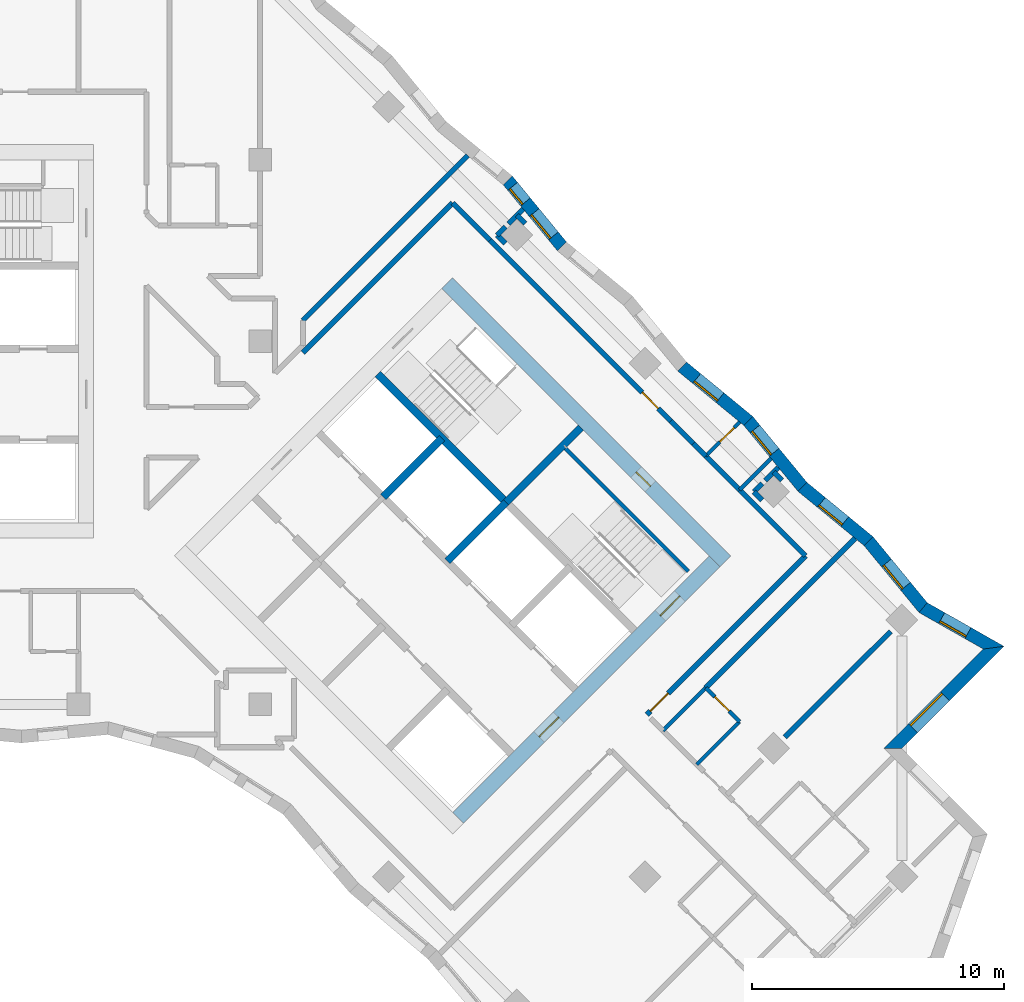
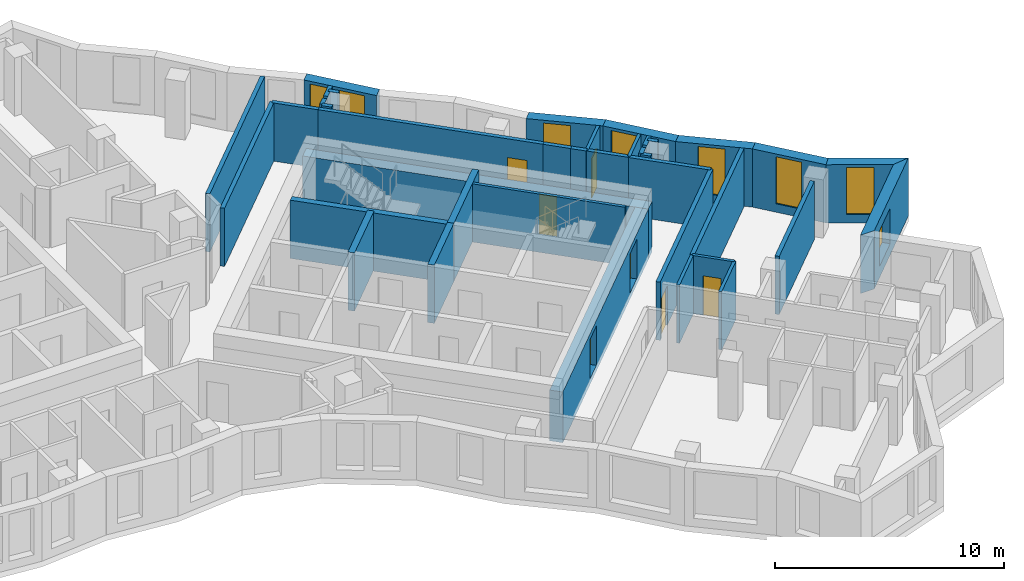
# One storey, part 9 of 12: 38 walls, 8 windows, 7 doors, 15 openings.
"""IFC4 building model written with IfcOpenShell, lengths in metres."""

from ifc_helpers import new_model, si_unit, direction, frame, frame_2d, origin, place, context, subcontext, project, spatial, polyline, rectangle, outline, extrude, material, layer, layer_set, type_object, element, fill, save


model = new_model("IFC4")

# Units and contexts
model_context = context("Model", 3, precision=1e-05, world=origin(), true_north=direction((0.0, 1.0)))
body_context = subcontext(model_context, "Body", "Model", "MODEL_VIEW")
ifc_project = project(units=[si_unit("LENGTHUNIT", "METRE"), si_unit("AREAUNIT", "SQUARE_METRE"), si_unit("VOLUMEUNIT", "CUBIC_METRE"), si_unit("PLANEANGLEUNIT", "RADIAN"), si_unit("MASSUNIT", "GRAM", prefix="KILO")], contexts=[model_context])

# Site, building, storey
site_placement = place(None, origin())
site = spatial("IfcSite", under=ifc_project, at=site_placement, CompositionType="ELEMENT")
building_placement = place(site_placement, origin())
building = spatial("IfcBuilding", under=site, at=building_placement, Name="Windrow Commons", CompositionType="ELEMENT")
storey_placement = place(building_placement, frame((0.0, 0.0, 138.8)))
storey = spatial("IfcBuildingStorey", under=building, at=storey_placement, Name="L37", CompositionType="ELEMENT", Elevation=138.8)

# Wall, opening, window
ifc_material_1 = material(Name="Brick masonry, red clay brick", Category="masonry")
ifc_layer_1 = layer(ifc_material_1, 0.5)
ifc_layer_set_1 = layer_set([ifc_layer_1], Name="Brick facade wall 500")
wall_type_1 = type_object("IfcWallType", Name="Brick facade wall 500", PredefinedType="SOLIDWALL", material=ifc_layer_set_1)
wall_1_placement = place(storey_placement, frame((104.3022, 41.453, 0.0), z_axis=(0.0, 0.0, 1.0), x_axis=(0.7071156278, 0.7070979344, 0.0)))
wall_1 = element("IfcWall", 1, at=wall_1_placement, inside=storey, type_object=wall_type_1, Name="Brick facade wall L37 6", PredefinedType="SOLIDWALL", context=body_context, shape_type="SweptSolid", body=[
    extrude(outline(polyline([(0.25, -0.25), (5.9801, -0.25), (5.3236, 0.25), (-0.25, 0.25), (0.25, -0.25)])), origin(), (0.0, 0.0, 1.0), 3.1),
])
opening_1_placement = place(wall_1_placement, frame((1.125, 0.0, 0.6)))
opening_1 = element("IfcOpeningElement", 2, at=opening_1_placement, cuts=wall_1, Name="Opening W1L", PredefinedType="OPENING", context=body_context, shape_type="SweptSolid", body=[
    extrude(rectangle(XDim=1.8, YDim=1.9, at=frame_2d((0.9, 0.95))), frame((0.0, 0.26, 0.0), z_axis=(0.0, -1.0, 0.0), x_axis=(1.0, 0.0, 0.0)), (0.0, 0.0, 1.0), 0.52),
])
ifc_material_2 = material(Name="Clear float glass in anodised aluminium frame", Category="aluminium")
window_type_1 = type_object("IfcWindowType", Name="Window W1L bedroom 1800x1900", PartitioningType="SINGLE_PANEL", PredefinedType="WINDOW", material=ifc_material_2)
window_1_placement = place(opening_1_placement, origin())
window_1 = element("IfcWindow", 3, at=window_1_placement, inside=storey, type_object=window_type_1, Name="Window L37 6.1", OverallHeight=1.9, OverallWidth=1.8, PartitioningType="SINGLE_PANEL", PredefinedType="WINDOW", context=body_context, shape_type="SweptSolid", body=[
    extrude(rectangle(XDim=1.8, YDim=1.9, at=frame_2d((0.9, 0.95))), frame((0.0, 0.18, 0.0), z_axis=(0.0, -1.0, 0.0), x_axis=(1.0, 0.0, 0.0)), (0.0, 0.0, 1.0), 0.06),
])
fill(opening_1, window_1)

wall_2_placement = place(storey_placement, frame((108.2987, 45.4494, 0.0), z_axis=(0.0, 0.0, 1.0), x_axis=(-0.869605489, 0.493747196, 0.0)))
wall_2 = element("IfcWall", 4, at=wall_2_placement, inside=storey, type_object=wall_type_1, Name="Brick facade wall L37 7", PredefinedType="SOLIDWALL", context=body_context, shape_type="SweptSolid", body=[
    extrude(outline(polyline([(-0.3282, -0.25), (3.1711, -0.25), (3.2638, 0.25), (0.3282, 0.25), (-0.3282, -0.25)])), origin(), (0.0, 0.0, 1.0), 3.1),
])
opening_2_placement = place(wall_2_placement, frame((1.1728, 0.0, 0.45)))
opening_2 = element("IfcOpeningElement", 5, at=opening_2_placement, cuts=wall_2, Name="Opening W7E", PredefinedType="OPENING", context=body_context, shape_type="SweptSolid", body=[
    extrude(rectangle(XDim=1.2, YDim=2.5, at=frame_2d((0.6, 1.25))), frame((0.0, 0.26, 0.0), z_axis=(0.0, -1.0, 0.0), x_axis=(1.0, 0.0, 0.0)), (0.0, 0.0, 1.0), 0.52),
])
ifc_material_3 = material(Name="Clear float glass in anodised aluminium frame", Category="aluminium")
window_type_2 = type_object("IfcWindowType", Name="Window W7 notch 1200x2500", PartitioningType="SINGLE_PANEL", PredefinedType="WINDOW", material=ifc_material_3)
window_2_placement = place(opening_2_placement, origin())
window_2 = element("IfcWindow", 6, at=window_2_placement, inside=storey, type_object=window_type_2, Name="Window L37 7.1", OverallHeight=2.5, OverallWidth=1.2, PartitioningType="SINGLE_PANEL", PredefinedType="WINDOW", context=body_context, shape_type="SweptSolid", body=[
    extrude(rectangle(XDim=1.2, YDim=2.5, at=frame_2d((0.6, 1.25))), frame((0.0, 0.18, 0.0), z_axis=(0.0, -1.0, 0.0), x_axis=(1.0, 0.0, 0.0)), (0.0, 0.0, 1.0), 0.06),
])
fill(opening_2, window_2)

wall_3_placement = place(storey_placement, frame((105.5008, 47.038, 0.0), z_axis=(0.0, 0.0, 1.0), x_axis=(-0.6348900618, 0.7726024912, 0.0)))
wall_3 = element("IfcWall", 7, at=wall_3_placement, inside=storey, type_object=wall_type_1, Name="Brick facade wall L37 8", PredefinedType="SOLIDWALL", context=body_context, shape_type="SweptSolid", body=[
    extrude(outline(polyline([(0.0463, -0.25), (3.436, -0.25), (3.387, 0.25), (-0.0463, 0.25), (0.0463, -0.25)])), origin(), (0.0, 0.0, 1.0), 3.1),
])
opening_3_placement = place(wall_3_placement, frame((1.0935, 0.0, 0.45)))
opening_3 = element("IfcOpeningElement", 8, at=opening_3_placement, cuts=wall_3, Name="Opening W7E", PredefinedType="OPENING", context=body_context, shape_type="SweptSolid", body=[
    extrude(rectangle(XDim=1.2, YDim=2.5, at=frame_2d((0.6, 1.25))), frame((0.0, 0.26, 0.0), z_axis=(0.0, -1.0, 0.0), x_axis=(1.0, 0.0, 0.0)), (0.0, 0.0, 1.0), 0.52),
])
window_3_placement = place(opening_3_placement, origin())
window_3 = element("IfcWindow", 9, at=window_3_placement, inside=storey, type_object=window_type_2, Name="Window L37 8.1", OverallHeight=2.5, OverallWidth=1.2, PartitioningType="SINGLE_PANEL", PredefinedType="WINDOW", context=body_context, shape_type="SweptSolid", body=[
    extrude(rectangle(XDim=1.2, YDim=2.5, at=frame_2d((0.6, 1.25))), frame((0.0, 0.18, 0.0), z_axis=(0.0, -1.0, 0.0), x_axis=(1.0, 0.0, 0.0)), (0.0, 0.0, 1.0), 0.06),
])
fill(opening_3, window_3)

wall_4_placement = place(storey_placement, frame((103.3349, 49.6737, 0.0), z_axis=(0.0, 0.0, 1.0), x_axis=(-0.7725898055, 0.6349054988, 0.0)))
wall_4 = element("IfcWall", 10, at=wall_4_placement, inside=storey, type_object=wall_type_1, Name="Brick facade wall L37 9", PredefinedType="SOLIDWALL", context=body_context, shape_type="SweptSolid", body=[
    extrude(outline(polyline([(-0.0245, -0.25), (3.3652, -0.25), (3.4141, 0.25), (0.0245, 0.25), (-0.0245, -0.25)])), origin(), (0.0, 0.0, 1.0), 3.1),
])
opening_4_placement = place(wall_4_placement, frame((1.2224, 0.0, 0.45)))
opening_4 = element("IfcOpeningElement", 11, at=opening_4_placement, cuts=wall_4, Name="Opening W7E", PredefinedType="OPENING", context=body_context, shape_type="SweptSolid", body=[
    extrude(rectangle(XDim=1.2, YDim=2.5, at=frame_2d((0.6, 1.25))), frame((0.0, 0.26, 0.0), z_axis=(0.0, -1.0, 0.0), x_axis=(1.0, 0.0, 0.0)), (0.0, 0.0, 1.0), 0.52),
])
window_4_placement = place(opening_4_placement, origin())
window_4 = element("IfcWindow", 12, at=window_4_placement, inside=storey, type_object=window_type_2, Name="Window L37 9.1", OverallHeight=2.5, OverallWidth=1.2, PartitioningType="SINGLE_PANEL", PredefinedType="WINDOW", context=body_context, shape_type="SweptSolid", body=[
    extrude(rectangle(XDim=1.2, YDim=2.5, at=frame_2d((0.6, 1.25))), frame((0.0, 0.18, 0.0), z_axis=(0.0, -1.0, 0.0), x_axis=(1.0, 0.0, 0.0)), (0.0, 0.0, 1.0), 0.06),
])
fill(opening_4, window_4)

wall_5_placement = place(storey_placement, frame((100.7161, 51.8258, 0.0), z_axis=(0.0, 0.0, 1.0), x_axis=(-0.6349054988, 0.7725898055, 0.0)))
wall_5 = element("IfcWall", 13, at=wall_5_placement, inside=storey, type_object=wall_type_1, Name="Brick facade wall L37 10", PredefinedType="SOLIDWALL", context=body_context, shape_type="SweptSolid", body=[
    extrude(outline(polyline([(0.0245, -0.25), (3.4141, -0.25), (3.3652, 0.25), (-0.0245, 0.25), (0.0245, -0.25)])), origin(), (0.0, 0.0, 1.0), 3.1),
])
opening_5_placement = place(wall_5_placement, frame((1.7739, 0.0, 0.45)))
opening_5 = element("IfcOpeningElement", 14, at=opening_5_placement, cuts=wall_5, Name="Opening W7E", PredefinedType="OPENING", context=body_context, shape_type="SweptSolid", body=[
    extrude(rectangle(XDim=1.2, YDim=2.5, at=frame_2d((0.6, 1.25))), frame((0.0, 0.26, 0.0), z_axis=(0.0, -1.0, 0.0), x_axis=(1.0, 0.0, 0.0)), (0.0, 0.0, 1.0), 0.52),
])
window_5_placement = place(opening_5_placement, origin())
window_5 = element("IfcWindow", 15, at=window_5_placement, inside=storey, type_object=window_type_2, Name="Window L37 10.1", OverallHeight=2.5, OverallWidth=1.2, PartitioningType="SINGLE_PANEL", PredefinedType="WINDOW", context=body_context, shape_type="SweptSolid", body=[
    extrude(rectangle(XDim=1.2, YDim=2.5, at=frame_2d((0.6, 1.25))), frame((0.0, 0.18, 0.0), z_axis=(0.0, -1.0, 0.0), x_axis=(1.0, 0.0, 0.0)), (0.0, 0.0, 1.0), 0.06),
])
fill(opening_5, window_5)

wall_6_placement = place(storey_placement, frame((98.564, 54.4446, 0.0), z_axis=(0.0, 0.0, 1.0), x_axis=(-0.7725898055, 0.6349054988, 0.0)))
wall_6 = element("IfcWall", 16, at=wall_6_placement, inside=storey, type_object=wall_type_1, Name="Brick facade wall L37 11", PredefinedType="SOLIDWALL", context=body_context, shape_type="SweptSolid", body=[
    extrude(outline(polyline([(-0.0245, -0.25), (3.3652, -0.25), (3.4141, 0.25), (0.0245, 0.25), (-0.0245, -0.25)])), origin(), (0.0, 0.0, 1.0), 3.1),
])
opening_6_placement = place(wall_6_placement, frame((1.4499, 0.0, 0.45)))
opening_6 = element("IfcOpeningElement", 17, at=opening_6_placement, cuts=wall_6, Name="Opening W7E", PredefinedType="OPENING", context=body_context, shape_type="SweptSolid", body=[
    extrude(rectangle(XDim=1.2, YDim=2.5, at=frame_2d((0.6, 1.25))), frame((0.0, 0.26, 0.0), z_axis=(0.0, -1.0, 0.0), x_axis=(1.0, 0.0, 0.0)), (0.0, 0.0, 1.0), 0.52),
])
window_6_placement = place(opening_6_placement, origin())
window_6 = element("IfcWindow", 18, at=window_6_placement, inside=storey, type_object=window_type_2, Name="Window L37 11.1", OverallHeight=2.5, OverallWidth=1.2, PartitioningType="SINGLE_PANEL", PredefinedType="WINDOW", context=body_context, shape_type="SweptSolid", body=[
    extrude(rectangle(XDim=1.2, YDim=2.5, at=frame_2d((0.6, 1.25))), frame((0.0, 0.18, 0.0), z_axis=(0.0, -1.0, 0.0), x_axis=(1.0, 0.0, 0.0)), (0.0, 0.0, 1.0), 0.06),
])
fill(opening_6, window_6)

# Wall, openings, windows
wall_7_placement = place(storey_placement, frame((91.1743, 61.3676, 0.0), z_axis=(0.0, 0.0, 1.0), x_axis=(-0.6349199703, 0.7725779128, 0.0)))
wall_7 = element("IfcWall", 19, at=wall_7_placement, inside=storey, type_object=wall_type_1, Name="Brick facade wall L37 14", PredefinedType="SOLIDWALL", context=body_context, shape_type="SweptSolid", body=[
    extrude(outline(polyline([(0.0245, -0.25), (3.4141, -0.25), (3.3652, 0.25), (-0.0245, 0.25), (0.0245, -0.25)])), origin(), (0.0, 0.0, 1.0), 3.1),
])
opening_7_placement = place(wall_7_placement, frame((0.536, 0.0, 0.5)))
opening_7 = element("IfcOpeningElement", 20, at=opening_7_placement, cuts=wall_7, Name="Opening W7D", PredefinedType="OPENING", context=body_context, shape_type="SweptSolid", body=[
    extrude(rectangle(XDim=1.2, YDim=2.45, at=frame_2d((0.6, 1.225))), frame((0.0, 0.26, 0.0), z_axis=(0.0, -1.0, 0.0), x_axis=(1.0, 0.0, 0.0)), (0.0, 0.0, 1.0), 0.52),
])
opening_8_placement = place(wall_7_placement, frame((2.2808, 0.0, 0.45)))
opening_8 = element("IfcOpeningElement", 21, at=opening_8_placement, cuts=wall_7, Name="Opening W1N", PredefinedType="OPENING", context=body_context, shape_type="SweptSolid", body=[
    extrude(rectangle(XDim=0.8, YDim=2.5, at=frame_2d((0.4, 1.25))), frame((0.0, 0.26, 0.0), z_axis=(0.0, -1.0, 0.0), x_axis=(1.0, 0.0, 0.0)), (0.0, 0.0, 1.0), 0.52),
])
ifc_material_4 = material(Name="Clear float glass in anodised aluminium frame", Category="aluminium")
window_type_3 = type_object("IfcWindowType", Name="Window W1N slit 800x2500", PartitioningType="SINGLE_PANEL", PredefinedType="WINDOW", material=ifc_material_4)
window_7_placement = place(opening_8_placement, origin())
window_7 = element("IfcWindow", 22, at=window_7_placement, inside=storey, type_object=window_type_3, Name="Window L37 14.1B", OverallHeight=2.5, OverallWidth=0.8, PartitioningType="SINGLE_PANEL", PredefinedType="WINDOW", context=body_context, shape_type="SweptSolid", body=[
    extrude(rectangle(XDim=0.8, YDim=2.5, at=frame_2d((0.4, 1.25))), frame((0.0, 0.18, 0.0), z_axis=(0.0, -1.0, 0.0), x_axis=(1.0, 0.0, 0.0)), (0.0, 0.0, 1.0), 0.06),
])
fill(opening_8, window_7)
ifc_material_5 = material(Name="Clear float glass in anodised aluminium frame", Category="aluminium")
window_type_4 = type_object("IfcWindowType", Name="Window W7 notch 1200x2450", PartitioningType="SINGLE_PANEL", PredefinedType="WINDOW", material=ifc_material_5)
window_8_placement = place(opening_7_placement, origin())
window_8 = element("IfcWindow", 23, at=window_8_placement, inside=storey, type_object=window_type_4, Name="Window L37 14.1A", OverallHeight=2.45, OverallWidth=1.2, PartitioningType="SINGLE_PANEL", PredefinedType="WINDOW", context=body_context, shape_type="SweptSolid", body=[
    extrude(rectangle(XDim=1.2, YDim=2.45, at=frame_2d((0.6, 1.225))), frame((0.0, 0.18, 0.0), z_axis=(0.0, -1.0, 0.0), x_axis=(1.0, 0.0, 0.0)), (0.0, 0.0, 1.0), 0.06),
])
fill(opening_7, window_8)

# Wall, opening, door
ifc_material_6 = material(Name="Blockwork partition", Category="masonry")
ifc_layer_2 = layer(ifc_material_6, 0.2)
ifc_layer_set_2 = layer_set([ifc_layer_2], Name="IW-CORRIDOR-200")
wall_type_2 = type_object("IfcWallType", Name="IW-CORRIDOR-200", PredefinedType="PARTITIONING", material=ifc_layer_set_2)
wall_8_placement = place(storey_placement, frame((88.3255, 61.6095, 0.0), z_axis=(0.0, 0.0, 1.0), x_axis=(0.7071067812, -0.7071067812, 0.0)))
wall_8 = element("IfcWall", 24, at=wall_8_placement, inside=storey, type_object=wall_type_2, Name="W-L37-W006", PredefinedType="PARTITIONING", context=body_context, shape_type="SweptSolid", body=[
    extrude(rectangle(XDim=10.1399, YDim=0.2, at=frame_2d((5.07, 0.0))), origin(), (0.0, 0.0, 1.0), 3.1),
])
opening_9_placement = place(wall_8_placement, frame((8.5351, 0.0, 0.0)))
opening_9 = element("IfcOpeningElement", 25, at=opening_9_placement, cuts=wall_8, Name="Opening D109F", PredefinedType="OPENING", context=body_context, shape_type="SweptSolid", body=[
    extrude(rectangle(XDim=0.9, YDim=2.1, at=frame_2d((0.45, 1.05))), frame((0.0, 0.11, 0.0), z_axis=(0.0, -1.0, 0.0), x_axis=(1.0, 0.0, 0.0)), (0.0, 0.0, 1.0), 0.22),
])
ifc_material_7 = material(Name="Timber door leaf", Category="wood")
door_type_1 = type_object("IfcDoorType", Name="DT-BEDROOM-900", OperationType="SINGLE_SWING_LEFT", PredefinedType="DOOR", material=ifc_material_7)
door_1_placement = place(opening_9_placement, origin())
door_1 = element("IfcDoor", 26, at=door_1_placement, inside=storey, type_object=door_type_1, Name="D-L37-D039", OperationType="SINGLE_SWING_LEFT", OverallHeight=2.1, OverallWidth=0.9, PredefinedType="DOOR", context=body_context, shape_type="SweptSolid", body=[
    extrude(rectangle(XDim=0.9, YDim=2.1, at=frame_2d((0.45, 1.05))), frame((0.0, 0.025, 0.0), z_axis=(0.0, -1.0, 0.0), x_axis=(1.0, 0.0, 0.0)), (0.0, 0.0, 1.0), 0.05),
])
fill(opening_9, door_1)

wall_9_placement = place(storey_placement, frame((94.543, 42.797, 0.0), z_axis=(0.0, 0.0, 1.0), x_axis=(0.7071067812, 0.7071067812, 0.0)))
wall_9 = element("IfcWall", 27, at=wall_9_placement, inside=storey, type_object=wall_type_2, Name="W-L37-W010", PredefinedType="PARTITIONING", context=body_context, shape_type="SweptSolid", body=[
    extrude(rectangle(XDim=8.9011, YDim=0.2, at=frame_2d((4.4505, 0.0))), origin(), (0.0, 0.0, 1.0), 3.1),
])
opening_10_placement = place(wall_9_placement, frame((0.1931, 0.0, 0.0)))
opening_10 = element("IfcOpeningElement", 28, at=opening_10_placement, cuts=wall_9, Name="Opening D310F", PredefinedType="OPENING", context=body_context, shape_type="SweptSolid", body=[
    extrude(rectangle(XDim=1.0, YDim=2.1, at=frame_2d((0.5, 1.05))), frame((0.0, 0.11, 0.0), z_axis=(0.0, -1.0, 0.0), x_axis=(1.0, 0.0, 0.0)), (0.0, 0.0, 1.0), 0.22),
])
ifc_material_8 = material(Name="Timber door leaf", Category="wood")
door_type_2 = type_object("IfcDoorType", Name="DT-AMENITY-1000", OperationType="SINGLE_SWING_LEFT", PredefinedType="DOOR", material=ifc_material_8)
door_2_placement = place(opening_10_placement, origin())
door_2 = element("IfcDoor", 29, at=door_2_placement, inside=storey, type_object=door_type_2, Name="D-L37-D041", OperationType="SINGLE_SWING_LEFT", OverallHeight=2.1, OverallWidth=1.0, PredefinedType="DOOR", context=body_context, shape_type="SweptSolid", body=[
    extrude(rectangle(XDim=1.0, YDim=2.1, at=frame_2d((0.5, 1.05))), frame((0.0, 0.025, 0.0), z_axis=(0.0, -1.0, 0.0), x_axis=(1.0, 0.0, 0.0)), (0.0, 0.0, 1.0), 0.05),
])
fill(opening_10, door_2)

# Walls
wall_10_placement = place(storey_placement, frame((80.9013, 57.1567, 0.0), z_axis=(0.0, 0.0, 1.0), x_axis=(0.7071067812, 0.7071067812, 0.0)))
element("IfcWall", 30, at=wall_10_placement, inside=storey, type_object=wall_type_2, Name="W-L37-W013", PredefinedType="PARTITIONING", context=body_context, shape_type="SweptSolid", body=[
    extrude(rectangle(XDim=8.3919, YDim=0.2, at=frame_2d((4.1959, 0.0))), origin(), (0.0, 0.0, 1.0), 3.1),
])
wall_11_placement = place(storey_placement, frame((98.2209, 51.7049, 0.0), z_axis=(0.0, 0.0, 1.0), x_axis=(0.7073229887, -0.7068905075, 0.0)))
element("IfcWall", 31, at=wall_11_placement, inside=storey, type_object=wall_type_2, Name="W-L37-W046", PredefinedType="PARTITIONING", context=body_context, shape_type="SweptSolid", body=[
    extrude(rectangle(XDim=3.6996, YDim=0.2, at=frame_2d((1.8498, 0.0))), origin(), (0.0, 0.0, 1.0), 3.1),
])
wall_12_placement = place(storey_placement, frame((86.8343, 63.0883, 0.0), z_axis=(0.0, 0.0, 1.0), x_axis=(0.7075827869, -0.7066304548, 0.0)))
element("IfcWall", 32, at=wall_12_placement, inside=storey, type_object=wall_type_2, Name="W-L37-W101", PredefinedType="PARTITIONING", context=body_context, shape_type="SweptSolid", body=[
    extrude(rectangle(XDim=2.1001, YDim=0.2, at=frame_2d((1.05, 0.0))), origin(), (0.0, 0.0, 1.0), 3.1),
])
wall_13_placement = place(storey_placement, frame((96.8815, 53.0535, 0.0), z_axis=(0.0, 0.0, 1.0), x_axis=(0.7071067812, -0.7071067812, 0.0)))
element("IfcWall", 33, at=wall_13_placement, inside=storey, type_object=wall_type_2, Name="W-L37-W116", PredefinedType="PARTITIONING", context=body_context, shape_type="SweptSolid", body=[
    extrude(rectangle(XDim=1.9007, YDim=0.2, at=frame_2d((0.9504, 0.0))), origin(), (0.0, 0.0, 1.0), 3.1),
])
wall_14_placement = place(storey_placement, frame((95.4937, 54.4377, 0.0), z_axis=(0.0, 0.0, 1.0), x_axis=(0.706312726, -0.7078999456, 0.0)))
element("IfcWall", 34, at=wall_14_placement, inside=storey, type_object=wall_type_2, Name="W-L37-W143", PredefinedType="PARTITIONING", context=body_context, shape_type="SweptSolid", body=[
    extrude(rectangle(XDim=1.2601, YDim=0.2, at=frame_2d((0.63, 0.0))), origin(), (0.0, 0.0, 1.0), 3.1),
])
wall_15_placement = place(storey_placement, frame((96.3804, 53.5424, 0.0), z_axis=(0.0, 0.0, 1.0), x_axis=(0.7085338339, -0.7056768426, 0.0)))
element("IfcWall", 35, at=wall_15_placement, inside=storey, type_object=wall_type_2, Name="W-L37-W154", PredefinedType="PARTITIONING", context=body_context, shape_type="SweptSolid", body=[
    extrude(rectangle(XDim=0.7, YDim=0.2, at=frame_2d((0.35, 0.0))), origin(), (0.0, 0.0, 1.0), 3.1),
])
ifc_material_9 = material(Name="Blockwork partition", Category="masonry")
ifc_layer_3 = layer(ifc_material_9, 0.15)
ifc_layer_set_3 = layer_set([ifc_layer_3], Name="IW-ENSUITE-150")
wall_type_3 = type_object("IfcWallType", Name="IW-ENSUITE-150", PredefinedType="PARTITIONING", material=ifc_layer_set_3)
for number, where, z_axis, x_axis, name in (
    (36, (96.5229, 40.8171, 0.0), (0.0, 0.0, 1.0), (0.7071067812, 0.7071067812, 0.0), "W-L37-W061"),
    (37, (95.1794, 42.1606, 0.0), (0.0, 0.0, 1.0), (0.7071067812, 0.7071067812, 0.0), "W-L37-W064"),
):
    element("IfcWall", number, at=place(storey_placement, frame(where, z_axis=z_axis, x_axis=x_axis)), inside=storey, type_object=wall_type_3, Name=name, PredefinedType="PARTITIONING", context=body_context, shape_type="SweptSolid", body=[
        extrude(rectangle(XDim=2.4013, YDim=0.15, at=frame_2d((1.2006, 0.0))), origin(), (0.0, 0.0, 1.0), 3.1),
    ])

# Wall, opening, door
wall_16_placement = place(storey_placement, frame((96.8813, 43.8613, 0.0), z_axis=(0.0, 0.0, 1.0), x_axis=(0.7071067812, -0.7071067812, 0.0)))
wall_16 = element("IfcWall", 38, at=wall_16_placement, inside=storey, type_object=wall_type_3, Name="W-L37-W117", PredefinedType="PARTITIONING", context=body_context, shape_type="SweptSolid", body=[
    extrude(rectangle(XDim=1.9007, YDim=0.15, at=frame_2d((0.9504, 0.0))), origin(), (0.0, 0.0, 1.0), 3.1),
])
opening_11_placement = place(wall_16_placement, frame((0.5053, 0.0, 0.0)))
opening_11 = element("IfcOpeningElement", 39, at=opening_11_placement, cuts=wall_16, Name="Opening D208N", PredefinedType="OPENING", context=body_context, shape_type="SweptSolid", body=[
    extrude(rectangle(XDim=0.8, YDim=2.1, at=frame_2d((0.4, 1.05))), frame((0.0, 0.085, 0.0), z_axis=(0.0, -1.0, 0.0), x_axis=(1.0, 0.0, 0.0)), (0.0, 0.0, 1.0), 0.17),
])
ifc_material_10 = material(Name="Timber door leaf", Category="wood")
door_type_3 = type_object("IfcDoorType", Name="DT-ENSUITE-800", OperationType="SINGLE_SWING_LEFT", PredefinedType="DOOR", material=ifc_material_10)
door_3_placement = place(opening_11_placement, origin())
door_3 = element("IfcDoor", 40, at=door_3_placement, inside=storey, type_object=door_type_3, Name="D-L37-D043", OperationType="SINGLE_SWING_RIGHT", OverallHeight=2.1, OverallWidth=0.8, PredefinedType="DOOR", context=body_context, shape_type="SweptSolid", body=[
    extrude(rectangle(XDim=0.8, YDim=2.1, at=frame_2d((0.4, 1.05))), frame((0.0, 0.025, 0.0), z_axis=(0.0, -1.0, 0.0), x_axis=(1.0, 0.0, 0.0)), (0.0, 0.0, 1.0), 0.05),
])
fill(opening_11, door_3)

wall_17_placement = place(storey_placement, frame((96.8772, 53.0508, 0.0), z_axis=(0.0, 0.0, 1.0), x_axis=(0.7071330019, 0.7070805595, 0.0)))
wall_17 = element("IfcWall", 41, at=wall_17_placement, inside=storey, type_object=wall_type_3, Name="W-L37-W129", PredefinedType="PARTITIONING", context=body_context, shape_type="SweptSolid", body=[
    extrude(rectangle(XDim=1.9069, YDim=0.15, at=frame_2d((0.9535, 0.0))), origin(), (0.0, 0.0, 1.0), 3.1),
])
opening_12_placement = place(wall_17_placement, frame((0.7929, 0.0, 0.0)))
opening_12 = element("IfcOpeningElement", 42, at=opening_12_placement, cuts=wall_17, Name="Opening D208N", PredefinedType="OPENING", context=body_context, shape_type="SweptSolid", body=[
    extrude(rectangle(XDim=0.8, YDim=2.1, at=frame_2d((0.4, 1.05))), frame((0.0, 0.085, 0.0), z_axis=(0.0, -1.0, 0.0), x_axis=(1.0, 0.0, 0.0)), (0.0, 0.0, 1.0), 0.17),
])
door_4_placement = place(opening_12_placement, origin())
door_4 = element("IfcDoor", 43, at=door_4_placement, inside=storey, type_object=door_type_3, Name="D-L37-D040", OperationType="SINGLE_SWING_RIGHT", OverallHeight=2.1, OverallWidth=0.8, PredefinedType="DOOR", context=body_context, shape_type="SweptSolid", body=[
    extrude(rectangle(XDim=0.8, YDim=2.1, at=frame_2d((0.4, 1.05))), frame((0.0, 0.025, 0.0), z_axis=(0.0, -1.0, 0.0), x_axis=(1.0, 0.0, 0.0)), (0.0, 0.0, 1.0), 0.05),
])
fill(opening_12, door_4)

# Walls
wall_18_placement = place(storey_placement, frame((98.2207, 51.7073, 0.0), z_axis=(0.0, 0.0, 1.0), x_axis=(0.7071351659, 0.7070783953, 0.0)))
element("IfcWall", 44, at=wall_18_placement, inside=storey, type_object=wall_type_3, Name="W-L37-W131", PredefinedType="PARTITIONING", context=body_context, shape_type="SweptSolid", body=[
    extrude(rectangle(XDim=1.7615, YDim=0.15, at=frame_2d((0.8808, 0.0))), origin(), (0.0, 0.0, 1.0), 3.1),
])
ifc_material_11 = material(Name="Blockwork partition", Category="masonry")
ifc_layer_4 = layer(ifc_material_11, 0.2)
ifc_layer_set_4 = layer_set([ifc_layer_4], Name="IW-PARTY-200")
wall_type_4 = type_object("IfcWallType", Name="IW-PARTY-200", PredefinedType="PARTITIONING", material=ifc_layer_set_4)
wall_19_placement = place(storey_placement, frame((80.8989, 58.4271, 0.0), z_axis=(0.0, 0.0, 1.0), x_axis=(0.7071121886, 0.7071013737, 0.0)))
element("IfcWall", 45, at=wall_19_placement, inside=storey, type_object=wall_type_4, Name="W-L37-W008", PredefinedType="PARTITIONING", context=body_context, shape_type="SweptSolid", body=[
    extrude(rectangle(XDim=9.2465, YDim=0.2, at=frame_2d((4.6232, 0.0))), origin(), (0.0, 0.0, 1.0), 3.1),
])
wall_20_placement = place(storey_placement, frame((96.8774, 43.8586, 0.0), z_axis=(0.0, 0.0, 1.0), x_axis=(0.707112746, 0.7071008163, 0.0)))
element("IfcWall", 46, at=wall_20_placement, inside=storey, type_object=wall_type_4, Name="W-L37-W014", PredefinedType="PARTITIONING", context=body_context, shape_type="SweptSolid", body=[
    extrude(rectangle(XDim=8.3824, YDim=0.2, at=frame_2d((4.1912, 0.0))), origin(), (0.0, 0.0, 1.0), 3.1),
])
wall_21_placement = place(storey_placement, frame((100.0168, 41.9012, 0.0), z_axis=(0.0, 0.0, 1.0), x_axis=(0.7072754814, 0.7069380408, 0.0)))
element("IfcWall", 47, at=wall_21_placement, inside=storey, type_object=wall_type_4, Name="W-L37-W026", PredefinedType="PARTITIONING", context=body_context, shape_type="SweptSolid", body=[
    extrude(rectangle(XDim=5.927, YDim=0.2, at=frame_2d((2.9635, 0.0))), origin(), (0.0, 0.0, 1.0), 3.1),
])
wall_22_placement = place(storey_placement, frame((88.5996, 61.8144, 0.0), z_axis=(0.0, 0.0, 1.0), x_axis=(0.7071067812, 0.7071067812, 0.0)))
element("IfcWall", 48, at=wall_22_placement, inside=storey, type_object=wall_type_4, Name="W-L37-W171", PredefinedType="PARTITIONING", context=body_context, shape_type="SweptSolid", body=[
    extrude(rectangle(XDim=0.4695, YDim=0.2, at=frame_2d((0.2347, 0.0))), origin(), (0.0, 0.0, 1.0), 3.1),
])
wall_23_placement = place(storey_placement, frame((89.0536, 62.2684, 0.0), z_axis=(0.0, 0.0, 1.0), x_axis=(0.7071067812, 0.7071067812, 0.0)))
element("IfcWall", 49, at=wall_23_placement, inside=storey, type_object=wall_type_4, Name="W-L37-W172", PredefinedType="PARTITIONING", context=body_context, shape_type="SweptSolid", body=[
    extrude(rectangle(XDim=0.8204, YDim=0.2, at=frame_2d((0.4102, 0.0))), origin(), (0.0, 0.0, 1.0), 3.1),
])
for number, where, z_axis, x_axis, name in (
    (50, (88.5993, 61.8133, 0.0), (0.0, 0.0, 1.0), (0.7092398187, -0.7049672897, 0.0), "W-L37-W173"),
    (51, (89.3881, 62.6021, 0.0), (0.0, 0.0, 1.0), (0.7049672897, -0.7092398187, 0.0), "W-L37-W174"),
    (52, (99.5696, 52.4176, 0.0), (0.0, 0.0, 1.0), (0.7092398187, -0.7049672897, 0.0), "W-L37-W175"),
    (53, (98.7837, 51.6317, 0.0), (0.0, 0.0, 1.0), (0.7049672897, -0.7092398187, 0.0), "W-L37-W176"),
):
    element("IfcWall", number, at=place(storey_placement, frame(where, z_axis=z_axis, x_axis=x_axis)), inside=storey, type_object=wall_type_4, Name=name, PredefinedType="PARTITIONING", context=body_context, shape_type="SweptSolid", body=[
        extrude(rectangle(XDim=0.4681, YDim=0.2, at=frame_2d((0.2341, 0.0))), origin(), (0.0, 0.0, 1.0), 3.1),
    ])
wall_24_placement = place(storey_placement, frame((98.7829, 51.6331, 0.0), z_axis=(0.0, 0.0, 1.0), x_axis=(0.7071067812, 0.7071067812, 0.0)))
element("IfcWall", 54, at=wall_24_placement, inside=storey, type_object=wall_type_4, Name="W-L37-W177", PredefinedType="PARTITIONING", context=body_context, shape_type="SweptSolid", body=[
    extrude(rectangle(XDim=0.4667, YDim=0.2, at=frame_2d((0.2334, 0.0))), origin(), (0.0, 0.0, 1.0), 3.1),
])
wall_25_placement = place(storey_placement, frame((99.2369, 52.0871, 0.0), z_axis=(0.0, 0.0, 1.0), x_axis=(0.7071752363, 0.7070383195, 0.0)))
element("IfcWall", 55, at=wall_25_placement, inside=storey, type_object=wall_type_4, Name="W-L37-W178", PredefinedType="PARTITIONING", context=body_context, shape_type="SweptSolid", body=[
    extrude(rectangle(XDim=0.7304, YDim=0.2, at=frame_2d((0.3652, 0.0))), origin(), (0.0, 0.0, 1.0), 3.1),
])

# Wall, opening, door
ifc_material_12 = material(Name="Concrete C50/60", Category="concrete")
ifc_layer_5 = layer(ifc_material_12, 0.6)
ifc_layer_set_5 = layer_set([ifc_layer_5], Name="RC CORE WALL 600 C50/60")
wall_type_5 = type_object("IfcWallType", Name="RC CORE WALL 600 C50/60", PredefinedType="SHEAR", material=ifc_layer_set_5)
wall_26_placement = place(storey_placement, frame((86.6246, 59.9085, -0.3), z_axis=(0.0, 0.0, 1.0), x_axis=(0.7071067812, -0.7071067812, 0.0)))
wall_26 = element("IfcWall", 56, at=wall_26_placement, inside=storey, type_object=wall_type_5, Name="Core B wall outer-N", PredefinedType="SHEAR", context=body_context, shape_type="SweptSolid", body=[
    extrude(rectangle(XDim=15.6, YDim=0.6, at=frame_2d((7.8, 0.0))), origin(), (0.0, 0.0, 1.0), 2.7),
])
opening_13_placement = place(wall_26_placement, frame((10.6, 0.0, 0.3)))
opening_13 = element("IfcOpeningElement", 57, at=opening_13_placement, cuts=wall_26, Name="Opening D9", PredefinedType="OPENING", context=body_context, shape_type="SweptSolid", body=[
    extrude(rectangle(XDim=0.8, YDim=2.1, at=frame_2d((0.4, 1.05))), frame((0.0, 0.31, 0.0), z_axis=(0.0, -1.0, 0.0), x_axis=(1.0, 0.0, 0.0)), (0.0, 0.0, 1.0), 0.62),
])
ifc_material_13 = material(Name="Steel fire door leaf", Category="steel")
door_type_4 = type_object("IfcDoorType", Name="Riser access door 800", OperationType="SINGLE_SWING_LEFT", PredefinedType="DOOR", material=ifc_material_13)
door_5_placement = place(opening_13_placement, origin())
door_5 = element("IfcDoor", 58, at=door_5_placement, inside=storey, type_object=door_type_4, Name="Riser access door", OperationType="SINGLE_SWING_RIGHT", OverallHeight=2.1, OverallWidth=0.8, PredefinedType="DOOR", context=body_context, shape_type="SweptSolid", body=[
    extrude(rectangle(XDim=0.8, YDim=2.1, at=frame_2d((0.4, 1.05))), frame((0.0, 0.025, 0.0), z_axis=(0.0, -1.0, 0.0), x_axis=(1.0, 0.0, 0.0)), (0.0, 0.0, 1.0), 0.05),
])
fill(opening_13, door_5)

# Wall, openings, doors
wall_27_placement = place(storey_placement, frame((87.0489, 38.6953, -0.3), z_axis=(0.0, 0.0, 1.0), x_axis=(0.7071067812, 0.7071067812, 0.0)))
wall_27 = element("IfcWall", 59, at=wall_27_placement, inside=storey, type_object=wall_type_5, Name="Core B wall outer-E", PredefinedType="SHEAR", context=body_context, shape_type="SweptSolid", body=[
    extrude(rectangle(XDim=14.3999, YDim=0.6, at=frame_2d((7.2, 0.0))), origin(), (0.0, 0.0, 1.0), 2.7),
])
opening_14_placement = place(wall_27_placement, frame((4.55, 0.0, 0.3)))
opening_14 = element("IfcOpeningElement", 60, at=opening_14_placement, cuts=wall_27, Name="Opening D6", PredefinedType="OPENING", context=body_context, shape_type="SweptSolid", body=[
    extrude(rectangle(XDim=1.1, YDim=2.1, at=frame_2d((0.55, 1.05))), frame((0.0, 0.31, 0.0), z_axis=(0.0, -1.0, 0.0), x_axis=(1.0, 0.0, 0.0)), (0.0, 0.0, 1.0), 0.62),
])
opening_15_placement = place(wall_27_placement, frame((11.35, 0.0, 0.3)))
opening_15 = element("IfcOpeningElement", 61, at=opening_15_placement, cuts=wall_27, Name="Opening D7", PredefinedType="OPENING", context=body_context, shape_type="SweptSolid", body=[
    extrude(rectangle(XDim=1.1, YDim=2.1, at=frame_2d((0.55, 1.05))), frame((0.0, 0.31, 0.0), z_axis=(0.0, -1.0, 0.0), x_axis=(1.0, 0.0, 0.0)), (0.0, 0.0, 1.0), 0.62),
])
ifc_material_14 = material(Name="Steel fire door leaf", Category="steel")
door_type_5 = type_object("IfcDoorType", Name="Core lobby door 1100", OperationType="SINGLE_SWING_LEFT", PredefinedType="DOOR", material=ifc_material_14)
door_6_placement = place(opening_14_placement, origin())
door_6 = element("IfcDoor", 62, at=door_6_placement, inside=storey, type_object=door_type_5, Name="Lift lobby door", OperationType="DOUBLE_DOOR_SINGLE_SWING", OverallHeight=2.1, OverallWidth=1.1, PredefinedType="DOOR", context=body_context, shape_type="SweptSolid", body=[
    extrude(rectangle(XDim=1.1, YDim=2.1, at=frame_2d((0.55, 1.05))), frame((0.0, 0.025, 0.0), z_axis=(0.0, -1.0, 0.0), x_axis=(1.0, 0.0, 0.0)), (0.0, 0.0, 1.0), 0.05),
])
fill(opening_14, door_6)
ifc_material_15 = material(Name="Steel fire door leaf", Category="steel")
door_type_6 = type_object("IfcDoorType", Name="Stair door 1100", OperationType="SINGLE_SWING_LEFT", PredefinedType="DOOR", material=ifc_material_15)
door_7_placement = place(opening_15_placement, origin())
door_7 = element("IfcDoor", 63, at=door_7_placement, inside=storey, type_object=door_type_6, Name="Stair door", OperationType="SINGLE_SWING_RIGHT", OverallHeight=2.1, OverallWidth=1.1, PredefinedType="DOOR", context=body_context, shape_type="SweptSolid", body=[
    extrude(rectangle(XDim=1.1, YDim=2.1, at=frame_2d((0.55, 1.05))), frame((0.0, 0.025, 0.0), z_axis=(0.0, -1.0, 0.0), x_axis=(1.0, 0.0, 0.0)), (0.0, 0.0, 1.0), 0.05),
])
fill(opening_15, door_7)

# Walls
ifc_material_16 = material(Name="Concrete C50/60", Category="concrete")
ifc_layer_6 = layer(ifc_material_16, 0.3)
ifc_layer_set_6 = layer_set([ifc_layer_6], Name="RC SHAFT WALL 300 C50/60")
wall_type_6 = type_object("IfcWallType", Name="RC SHAFT WALL 300 C50/60", PredefinedType="SOLIDWALL", material=ifc_layer_set_6)
wall_28_placement = place(storey_placement, frame((84.079, 51.4232, 0.0), z_axis=(0.0, 0.0, 1.0), x_axis=(0.7071219326, 0.7070916295, 0.0)))
element("IfcWall", 64, at=wall_28_placement, inside=storey, type_object=wall_type_6, Name="Core B wall shaft-N1", PredefinedType="SOLIDWALL", context=body_context, shape_type="SweptSolid", body=[
    extrude(rectangle(XDim=3.3, YDim=0.3, at=frame_2d((1.65, 0.0))), origin(), (0.0, 0.0, 1.0), 3.1),
])
wall_29_placement = place(storey_placement, frame((86.6246, 48.8776, 0.0), z_axis=(0.0, 0.0, 1.0), x_axis=(0.7071067812, 0.7071067812, 0.0)))
element("IfcWall", 65, at=wall_29_placement, inside=storey, type_object=wall_type_6, Name="Core B wall shaft-N2", PredefinedType="SOLIDWALL", context=body_context, shape_type="SweptSolid", body=[
    extrude(rectangle(XDim=3.3001, YDim=0.3, at=frame_2d((1.6501, 0.0))), origin(), (0.0, 0.0, 1.0), 3.1),
])
wall_30_placement = place(storey_placement, frame((83.8669, 56.3022, 0.0), z_axis=(0.0, 0.0, 1.0), x_axis=(0.7071137256, -0.7070998367, 0.0)))
element("IfcWall", 66, at=wall_30_placement, inside=storey, type_object=wall_type_6, Name="Core B wall stair-S", PredefinedType="SOLIDWALL", context=body_context, shape_type="SweptSolid", body=[
    extrude(rectangle(XDim=7.2, YDim=0.3, at=frame_2d((3.6, 0.0))), origin(), (0.0, 0.0, 1.0), 3.1),
])
wall_31_placement = place(storey_placement, frame((88.9581, 51.2111, 0.0), z_axis=(0.0, 0.0, 1.0), x_axis=(0.7071067812, 0.7071067812, 0.0)))
element("IfcWall", 67, at=wall_31_placement, inside=storey, type_object=wall_type_6, Name="Core B wall stair-mid", PredefinedType="SOLIDWALL", context=body_context, shape_type="SweptSolid", body=[
    extrude(rectangle(XDim=4.1999, YDim=0.3, at=frame_2d((2.1, 0.0))), origin(), (0.0, 0.0, 1.0), 3.1),
])
ifc_material_17 = material(Name="Blockwork partition", Category="masonry")
ifc_layer_7 = layer(ifc_material_17, 0.15)
ifc_layer_set_7 = layer_set([ifc_layer_7], Name="Riser partition 150")
wall_type_7 = type_object("IfcWallType", Name="Riser partition 150", PredefinedType="PARTITIONING", material=ifc_layer_set_7)
wall_32_placement = place(storey_placement, frame((91.3127, 53.3536, 0.0), z_axis=(0.0, 0.0, 1.0), x_axis=(0.7071140275, -0.7070995348, 0.0)))
element("IfcWall", 68, at=wall_32_placement, inside=storey, type_object=wall_type_7, Name="W-core-strip-B-L37", PredefinedType="PARTITIONING", context=body_context, shape_type="SweptSolid", body=[
    extrude(rectangle(XDim=6.9, YDim=0.15, at=frame_2d((3.45, 0.0))), origin(), (0.0, 0.0, 1.0), 3.1),
])

save(model, "model.ifc")
